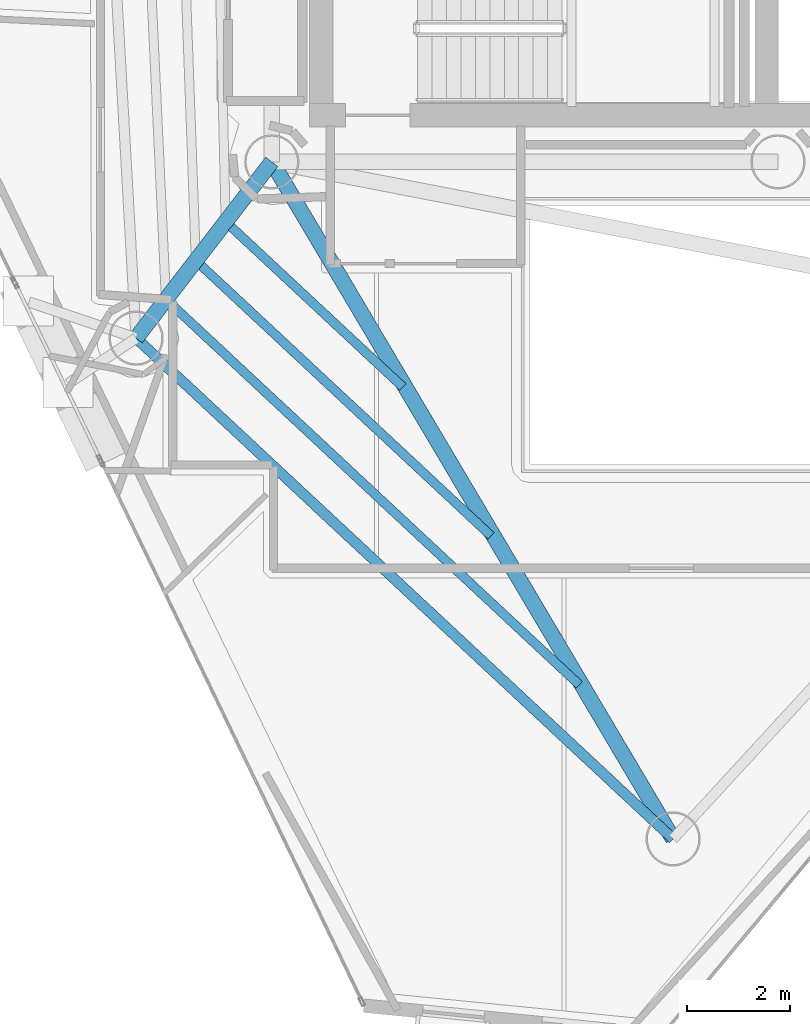
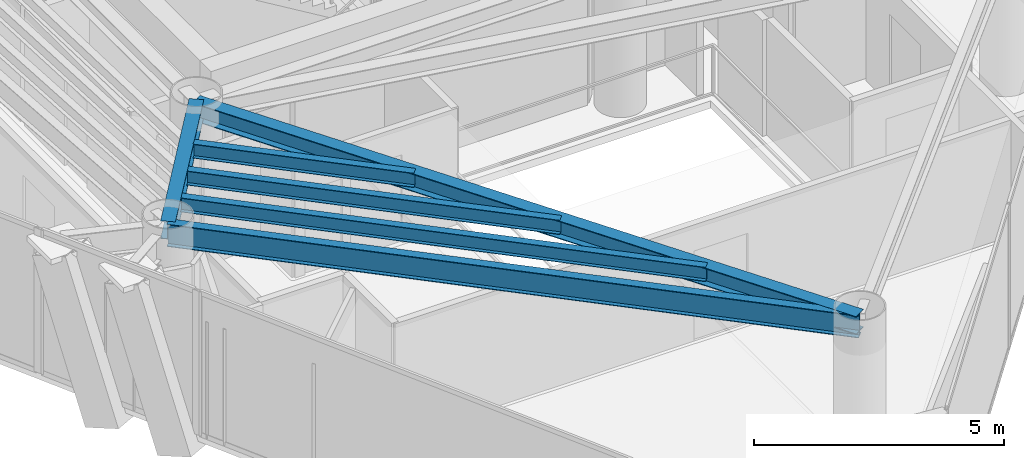
# One storey, part 3 of 20: 6 beams.
"""IFC4 building model written with IfcOpenShell, lengths in metres."""

from ifc_helpers import new_model, si_unit, direction, frame, origin, origin_2d, place, context, subcontext, project, spatial, i_section, extrude, material, material_profile, profile_set, type_object, element, save


model = new_model("IFC4")

# Units and contexts
model_context = context("Model", 3, precision=1e-05, world=origin(), true_north=direction((0.0, 1.0)))
body_context = subcontext(model_context, "Body", "Model", "MODEL_VIEW")
ifc_project = project(units=[si_unit("LENGTHUNIT", "METRE"), si_unit("AREAUNIT", "SQUARE_METRE"), si_unit("VOLUMEUNIT", "CUBIC_METRE"), si_unit("PLANEANGLEUNIT", "RADIAN"), si_unit("MASSUNIT", "GRAM", prefix="KILO")], contexts=[model_context])

# Site, building, storey
site_placement = place(None, origin())
site = spatial("IfcSite", under=ifc_project, at=site_placement, CompositionType="ELEMENT")
building_placement = place(site_placement, origin())
building = spatial("IfcBuilding", under=site, at=building_placement, Name="Qianvela Tower", CompositionType="ELEMENT")
storey_placement = place(building_placement, frame((0.0, 0.0, 257.5)))
storey = spatial("IfcBuildingStorey", under=building, at=storey_placement, Name="L66", CompositionType="ELEMENT", Elevation=257.5)

# Beams
ifc_material_1 = material(Name="Steel Q355B", Category="steel")
ifc_material_profile_1 = material_profile(ifc_material_1, i_section(OverallWidth=0.300048828125, OverallDepth=0.43994140625, WebThickness=0.010986328125, FlangeThickness=0.01806640625, at=origin_2d()), Name="HM440x300x11x18")
ifc_profile_set_1 = profile_set([ifc_material_profile_1], Name="Steel Q355B")
beam_type_1 = type_object("IfcBeamType", Name="BM-HM440-COLL", PredefinedType="BEAM", material=ifc_profile_set_1)
beam_1_placement = place(storey_placement, frame((28.60009765625, 23.85009765625, 3.298095703125), z_axis=(-0.610107831638, -0.792318391667, 0.0), x_axis=(0.792318391667, -0.610107831638, 0.0)))
element("IfcBeam", 1, at=beam_1_placement, inside=storey, type_object=beam_type_1, Name="L66 Radial Primary Floor Girder 4", PredefinedType="BEAM", context=body_context, shape_type="SweptSolid", body=[
    extrude(i_section(OverallWidth=0.300048828125, OverallDepth=0.43994140625, WebThickness=0.010986328125, FlangeThickness=0.01806640625, at=origin_2d()), origin(), (0.0, 0.0, 1.0), 4.3076171875),
])
beam_2_placement = place(storey_placement, frame((28.60009765625, 23.85009765625, 3.298095703125), z_axis=(0.509851140096, -0.860262643001, 0.0), x_axis=(0.860262643001, 0.509851140096, 0.0)))
element("IfcBeam", 2, at=beam_2_placement, inside=storey, type_object=beam_type_1, Name="L66 Radial Primary Floor Girder 5", PredefinedType="BEAM", context=body_context, shape_type="SweptSolid", body=[
    extrude(i_section(OverallWidth=0.300048828125, OverallDepth=0.43994140625, WebThickness=0.010986328125, FlangeThickness=0.01806640625, at=origin_2d()), origin(), (0.0, 0.0, 1.0), 15.2373046875),
])
ifc_material_2 = material(Name="Steel Q355B", Category="steel")
ifc_material_profile_2 = material_profile(ifc_material_2, i_section(OverallWidth=0.175048828125, OverallDepth=0.35009765625, WebThickness=0.007080078125, FlangeThickness=0.010986328125, at=origin_2d()), Name="HN350x175x7x11")
ifc_profile_set_2 = profile_set([ifc_material_profile_2], Name="Steel Q355B")
beam_type_2 = type_object("IfcBeamType", Name="BM-HN350-JOIST", PredefinedType="JOIST", material=ifc_profile_set_2)
beam_3_placement = place(storey_placement, frame((27.813232421875, 22.590087890625, 3.343017578125), z_axis=(0.731376968526, -0.681973408506, 0.0), x_axis=(0.681973408506, 0.731376968526, 0.0)))
element("IfcBeam", 3, at=beam_3_placement, inside=storey, type_object=beam_type_2, Name="L66 Secondary Composite Floor Joist 4.1", PredefinedType="JOIST", context=body_context, shape_type="SweptSolid", body=[
    extrude(i_section(OverallWidth=0.175048828125, OverallDepth=0.35009765625, WebThickness=0.007080078125, FlangeThickness=0.010986328125, at=origin_2d()), origin(), (0.0, 0.0, 1.0), 4.54150390625),
])
beam_4_placement = place(storey_placement, frame((27.235107421875, 21.839111328125, 3.343017578125), z_axis=(0.731379132366, -0.681971087906, 0.0), x_axis=(0.681971087906, 0.731379132366, 0.0)))
element("IfcBeam", 4, at=beam_4_placement, inside=storey, type_object=beam_type_2, Name="L66 Secondary Composite Floor Joist 4.2", PredefinedType="JOIST", context=body_context, shape_type="SweptSolid", body=[
    extrude(i_section(OverallWidth=0.175048828125, OverallDepth=0.35009765625, WebThickness=0.007080078125, FlangeThickness=0.010986328125, at=origin_2d()), origin(), (0.0, 0.0, 1.0), 7.6689453125),
])
beam_5_placement = place(storey_placement, frame((26.656982421875, 21.08837890625, 3.343017578125), z_axis=(0.731358246127, -0.681993486641, 0.0), x_axis=(0.681993486641, 0.731358246127, 0.0)))
element("IfcBeam", 5, at=beam_5_placement, inside=storey, type_object=beam_type_2, Name="L66 Secondary Composite Floor Joist 4.3", PredefinedType="JOIST", context=body_context, shape_type="SweptSolid", body=[
    extrude(i_section(OverallWidth=0.175048828125, OverallDepth=0.35009765625, WebThickness=0.007080078125, FlangeThickness=0.010986328125, at=origin_2d()), origin(), (0.0, 0.0, 1.0), 10.79638671875),
])
ifc_material_3 = material(Name="Steel Q355B", Category="steel")
ifc_material_profile_3 = material_profile(ifc_material_3, i_section(OverallWidth=0.199951171875, OverallDepth=0.550048828125, WebThickness=0.010009765625, FlangeThickness=0.01611328125, at=origin_2d()), Name="HN550x200x10x16")
ifc_profile_set_3 = profile_set([ifc_material_profile_3], Name="Steel Q355B")
beam_type_3 = type_object("IfcBeamType", Name="BM-HN550-GIRD", PredefinedType="BEAM", material=ifc_profile_set_3)
beam_6_placement = place(storey_placement, frame((25.971923828125, 20.43701171875, 3.242919921875), z_axis=(0.731363016694, -0.681988370731, 0.0), x_axis=(0.681988370731, 0.731363016694, 0.0)))
element("IfcBeam", 6, at=beam_6_placement, inside=storey, type_object=beam_type_3, Name="L66 Perimeter Ring Spandrel Girder 4", PredefinedType="BEAM", context=body_context, shape_type="SweptSolid", body=[
    extrude(i_section(OverallWidth=0.199951171875, OverallDepth=0.550048828125, WebThickness=0.010009765625, FlangeThickness=0.01611328125, at=origin_2d()), origin(), (0.0, 0.0, 1.0), 14.2158203125),
])

save(model, "model.ifc")
